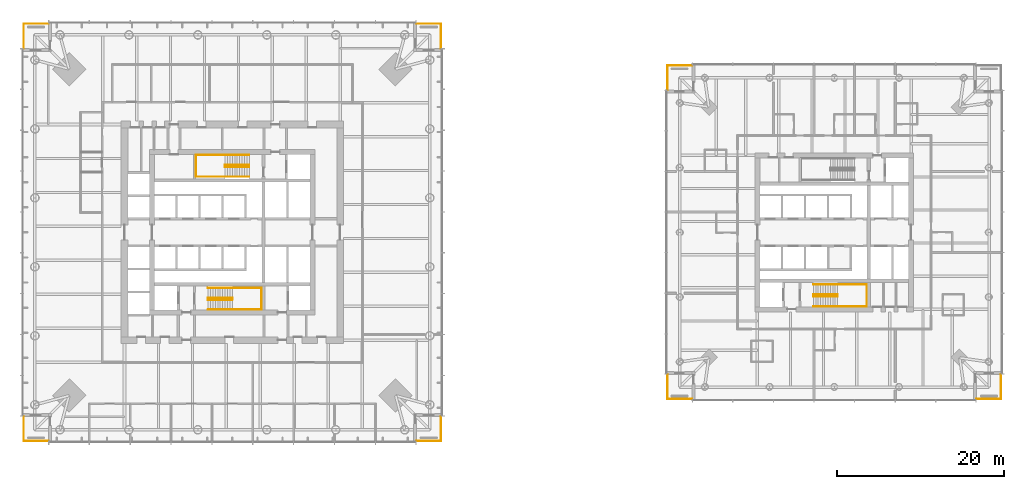
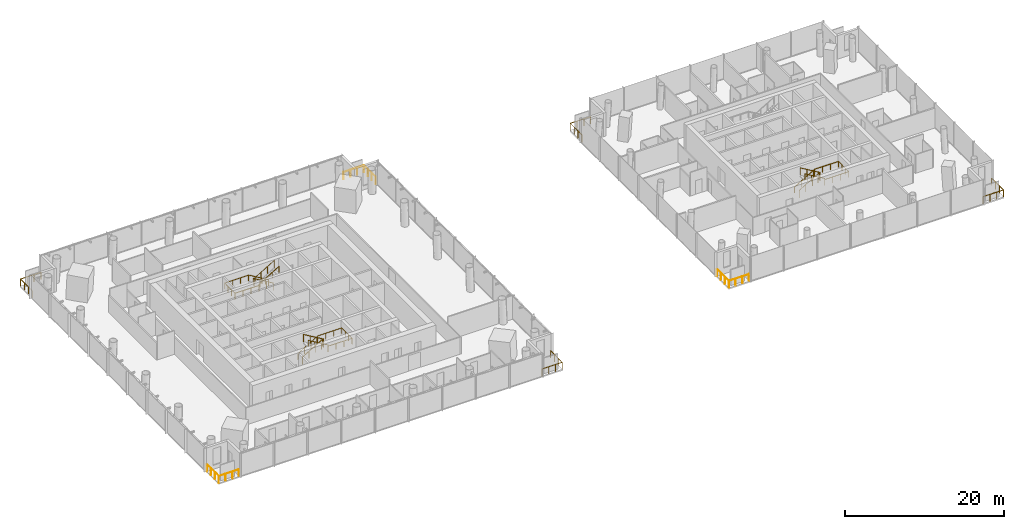
# One storey, part 20 of 21: 13 railings.
"""IFC4 building model written with IfcOpenShell, lengths in metres."""

import ifcopenshell
import ifcopenshell.guid

model = None  # the IFC model being written
_history = None  # IfcOwnerHistory: only IFC2X3 demands one
_inside = {}  # id of a spatial element -> (the spatial element, [elements in it])
_under = {}  # id of a project, library or spatial element -> (it, [spatial elements below it])
_declared = {}  # id of a project -> (the project, [libraries it declares])
_typed = {}  # id of a type object -> (the type object, [elements of that type])
_made_of = {}  # id of a material, layer set ... -> (it, [elements and type objects made of it])


def new_model(schema):
    """Start an empty IFC model of exactly this schema.

    Asked for "IFC4X3", IfcOpenShell would pick the latest addendum, in which some entities
    have other attributes; the version numbers below select the first issue.
    IFC2X3 requires an IfcOwnerHistory on every rooted entity: one is made here for all.
    """
    global model, _history
    if schema == "IFC4X3":
        model = ifcopenshell.file(schema_version=(4, 3, 0, 0))
    else:
        model = ifcopenshell.file(schema=schema)
    _inside.clear()
    _under.clear()
    _declared.clear()
    _typed.clear()
    _made_of.clear()
    _history = None
    if model.schema == "IFC2X3":
        org = make("IfcOrganization", Name="unknown")
        user = make(
            "IfcPersonAndOrganization",
            ThePerson=make("IfcPerson", FamilyName="unknown"),
            TheOrganization=org,
        )
        app = make(
            "IfcApplication",
            ApplicationDeveloper=org,
            Version="unknown",
            ApplicationFullName="unknown",
            ApplicationIdentifier="unknown",
        )
        _history = make(
            "IfcOwnerHistory",
            OwningUser=user,
            OwningApplication=app,
            ChangeAction="ADDED",
            CreationDate=0,
        )
    return model


def make(cls, **values):
    """One entity of the class cls with the attributes given. An attribute that is None is left unset."""
    return model.create_entity(
        cls, **{name: value for name, value in values.items() if value is not None}
    )


def rooted(cls, **values):
    """An entity with a GlobalId (a new one), such as an element, a storey or a relation."""
    return make(cls, GlobalId=ifcopenshell.guid.new(), OwnerHistory=_history, **values)


def si_unit(unit_type, name, prefix=None):
    """IfcSIUnit, for example si_unit("LENGTHUNIT", "METRE", prefix="MILLI")."""
    return make("IfcSIUnit", UnitType=unit_type, Prefix=prefix, Name=name)


def assignment(units):
    """IfcUnitAssignment: the units of a project."""
    return None if units is None else make("IfcUnitAssignment", Units=units)


def point(xyz):
    """IfcCartesianPoint."""
    return None if xyz is None else make("IfcCartesianPoint", Coordinates=xyz)


def direction(xyz):
    """IfcDirection."""
    return None if xyz is None else make("IfcDirection", DirectionRatios=xyz)


def frame(location, z_axis=None, x_axis=None):
    """IfcAxis2Placement3D, a coordinate frame: its origin and axes. An axis left out is left unset."""
    return make(
        "IfcAxis2Placement3D",
        Location=point(location),
        Axis=direction(z_axis),
        RefDirection=direction(x_axis),
    )


def frame_2d(location, x_axis=None):
    """IfcAxis2Placement2D, a coordinate frame in the plane: its origin and x axis."""
    return make(
        "IfcAxis2Placement2D", Location=point(location), RefDirection=direction(x_axis)
    )


def origin():
    """The frame at (0, 0, 0) with its axes left unset."""
    return frame((0.0, 0.0, 0.0))


def origin_2d():
    """The frame at (0, 0) in the plane with its x axis left unset."""
    return frame_2d((0.0, 0.0))


def place(relative_to, where):
    """IfcLocalPlacement: puts the frame where relative to a parent placement (None: the world)."""
    return make(
        "IfcLocalPlacement", PlacementRelTo=relative_to, RelativePlacement=where
    )


def context(
    kind, dimensions, precision=None, world=None, true_north=None, identifier=None
):
    """IfcGeometricRepresentationContext, for example the 3D "Model" context."""
    return make(
        "IfcGeometricRepresentationContext",
        ContextIdentifier=identifier,
        ContextType=kind,
        CoordinateSpaceDimension=dimensions,
        Precision=precision,
        WorldCoordinateSystem=world,
        TrueNorth=true_north,
    )


def subcontext(parent, identifier, kind, view, scale=None):
    """IfcGeometricRepresentationSubContext, for example "Body" below "Model"."""
    return make(
        "IfcGeometricRepresentationSubContext",
        ContextIdentifier=identifier,
        ContextType=kind,
        ParentContext=parent,
        TargetScale=scale,
        TargetView=view,
    )


def project(units=None, contexts=None):
    """IfcProject with its units and contexts."""
    return rooted(
        "IfcProject",
        Name="project",
        RepresentationContexts=contexts,
        UnitsInContext=assignment(units),
    )


def spatial(cls, under=None, at=None, **own):
    """A site, building, storey or space (cls), placed at a placement, below another one or the project."""
    s = rooted(cls, ObjectPlacement=at, **own)
    if under is not None:
        _under.setdefault(under.id(), (under, []))[1].append(s)
    return s


def profile(cls, at=None, kind="AREA", **sizes):
    """A parametric profile (cls). Its sizes go by their IFC names, for example OverallWidth=200.0."""
    return make(cls, ProfileType=kind, Position=at, **sizes)


def circle(**sizes):
    """IfcCircleProfileDef."""
    return profile("IfcCircleProfileDef", **sizes)


def extrude(swept, where, along, depth):
    """IfcExtrudedAreaSolid: the profile swept, set in the frame where, extruded along a direction by depth."""
    return make(
        "IfcExtrudedAreaSolid",
        SweptArea=swept,
        Position=where,
        ExtrudedDirection=direction(along),
        Depth=depth,
    )


def shape(context_of_items, identifier, shape_type, items):
    """IfcShapeRepresentation: the items that make up one representation, for example the "Body"."""
    return make(
        "IfcShapeRepresentation",
        ContextOfItems=context_of_items,
        RepresentationIdentifier=identifier,
        RepresentationType=shape_type,
        Items=items,
    )


def material(Name=None, Category=None):
    """IfcMaterial."""
    return make("IfcMaterial", Name=Name, Category=Category)


def made_of(thing, what):
    """Note that an element or type object is made of a material, layer set ...; save() writes the relation."""
    if what is not None:
        _made_of.setdefault(what.id(), (what, []))[1].append(thing)
    return thing


def type_object(cls, material=None, **own):
    """A type object (cls), such as IfcWallType, which elements share."""
    return made_of(rooted(cls, **own), material)


def element(
    cls,
    number,
    at=None,
    inside=None,
    cuts=None,
    type_object=None,
    material=None,
    context=None,
    identifier="Body",
    shape_type=None,
    held_by="IfcProductDefinitionShape",
    body=None,
    shapes=None,
    **own,
):
    """One element of the class cls, such as IfcWall. Its Tag is "e" and its number.

    at: its placement. inside: the storey or other place that contains it. cuts: it is an
    opening in that element (IfcRelVoidsElement). A single representation is given by context,
    identifier, shape_type and body (its items); several are given by shapes. held_by: the class
    of the entity that holds the representations. save() writes the other relations.
    """
    e = rooted(cls, Tag="e%d" % number, ObjectPlacement=at, **own)
    if body is not None:
        shapes = [shape(context, identifier, shape_type, body)]
    if shapes is not None:
        e.Representation = make(held_by, Representations=shapes)
    if inside is not None:
        _inside.setdefault(inside.id(), (inside, []))[1].append(e)
    if cuts is not None:
        rooted(
            "IfcRelVoidsElement", RelatingBuildingElement=cuts, RelatedOpeningElement=e
        )
    if type_object is not None:
        _typed.setdefault(type_object.id(), (type_object, []))[1].append(e)
    return made_of(e, material)


def aggregate(whole, parts):
    """IfcRelAggregates: a whole, such as a stair, and the parts it consists of."""
    return rooted("IfcRelAggregates", RelatingObject=whole, RelatedObjects=parts)


def save(model, path):
    """Write the relations noted so far, then the file.

    IfcRelAggregates (storeys below a building ...), IfcRelContainedInSpatialStructure (elements
    in a storey), IfcRelDefinesByType, IfcRelAssociatesMaterial and IfcRelDeclares: one each for
    every whole, place, type object, material and project.
    """
    for whole, parts in _under.values():
        aggregate(whole, parts)
    for where, things in _inside.values():
        rooted(
            "IfcRelContainedInSpatialStructure",
            RelatedElements=things,
            RelatingStructure=where,
        )
    for kind, things in _typed.values():
        rooted("IfcRelDefinesByType", RelatedObjects=things, RelatingType=kind)
    for what, things in _made_of.values():
        rooted("IfcRelAssociatesMaterial", RelatedObjects=things, RelatingMaterial=what)
    for by, libraries in _declared.values():
        rooted("IfcRelDeclares", RelatingContext=by, RelatedDefinitions=libraries)
    model.write(path)


model = new_model("IFC4")

# Units and contexts
model_context = context("Model", 3, precision=1e-05, world=origin(), true_north=direction((0.0, 1.0)))
body_context = subcontext(model_context, "Body", "Model", "MODEL_VIEW")
ifc_project = project(units=[si_unit("LENGTHUNIT", "METRE"), si_unit("AREAUNIT", "SQUARE_METRE"), si_unit("VOLUMEUNIT", "CUBIC_METRE"), si_unit("PLANEANGLEUNIT", "RADIAN"), si_unit("MASSUNIT", "GRAM", prefix="KILO")], contexts=[model_context])

# Site, building, storey
site_placement = place(None, origin())
site = spatial("IfcSite", under=ifc_project, at=site_placement, CompositionType="ELEMENT")
building_placement = place(site_placement, origin())
building = spatial("IfcBuilding", under=site, at=building_placement, Name="Ostroluk Exchange", CompositionType="ELEMENT")
storey_placement = place(building_placement, frame((0.0, 0.0, 32.39990234375)))
storey = spatial("IfcBuildingStorey", under=building, at=storey_placement, Name="L07", CompositionType="ELEMENT", Elevation=32.39990234375)

# Railings
ifc_material_1 = material(Name="Stainless steel", Category="steel")
railing_type_1 = type_object("IfcRailingType", Name="Guard 1100 stainless steel", PredefinedType="GUARDRAIL", material=ifc_material_1)
railing_1_placement = place(storey_placement, frame((67.0, 21.050048828125, 0.0)))
element("IfcRailing", 1, at=railing_1_placement, inside=storey, type_object=railing_type_1, Name="Office tower SE balcony guard L07", PredefinedType="GUARDRAIL", context=body_context, shape_type="SweptSolid", body=[
    extrude(circle(Radius=0.02392578125, at=origin_2d()), frame((0.0, 0.0, 1.076171875), z_axis=(1.0, 0.0, 0.0), x_axis=(0.0, 1.0, 0.0)), (0.0, 0.0, 1.0), 2.949951171875),
    extrude(circle(Radius=0.02392578125, at=origin_2d()), frame((2.949951171875, 0.0, 1.076171875), z_axis=(0.0, 1.0, 0.0), x_axis=(-1.0, 0.0, 0.0)), (0.0, 0.0, 1.0), 2.949951171875),
    extrude(circle(Radius=0.02099609375, at=origin_2d()), origin(), (0.0, 0.0, 1.0), 1.052001953125),
    extrude(circle(Radius=0.02099609375, at=origin_2d()), frame((0.9833984375, 0.0, 0.0)), (0.0, 0.0, 1.0), 1.052001953125),
    extrude(circle(Radius=0.02099609375, at=origin_2d()), frame((1.966552734375, 0.0, 0.0)), (0.0, 0.0, 1.0), 1.052001953125),
    extrude(circle(Radius=0.02099609375, at=origin_2d()), frame((2.949951171875, 0.0, 0.0)), (0.0, 0.0, 1.0), 1.052001953125),
    extrude(circle(Radius=0.02099609375, at=origin_2d()), frame((2.949951171875, 0.9833984375, 0.0)), (0.0, 0.0, 1.0), 1.052001953125),
    extrude(circle(Radius=0.02099609375, at=origin_2d()), frame((2.949951171875, 1.966552734375, 0.0)), (0.0, 0.0, 1.0), 1.052001953125),
    extrude(circle(Radius=0.02099609375, at=origin_2d()), frame((2.949951171875, 2.949951171875, 0.0)), (0.0, 0.0, 1.0), 1.052001953125),
])
railing_2_placement = place(storey_placement, frame((67.0, 70.949951171875, 0.0)))
element("IfcRailing", 2, at=railing_2_placement, inside=storey, type_object=railing_type_1, Name="Office tower NE balcony guard L07", PredefinedType="GUARDRAIL", context=body_context, shape_type="SweptSolid", body=[
    extrude(circle(Radius=0.02392578125, at=origin_2d()), frame((0.0, 0.0, 1.076171875), z_axis=(1.0, 0.0, 0.0), x_axis=(0.0, 1.0, 0.0)), (0.0, 0.0, 1.0), 2.949951171875),
    extrude(circle(Radius=0.02392578125, at=origin_2d()), frame((2.949951171875, 0.0, 1.076171875), z_axis=(0.0, -1.0, 0.0), x_axis=(1.0, 0.0, 0.0)), (0.0, 0.0, 1.0), 2.949951171875),
    extrude(circle(Radius=0.02099609375, at=origin_2d()), origin(), (0.0, 0.0, 1.0), 1.052001953125),
    extrude(circle(Radius=0.02099609375, at=origin_2d()), frame((0.9833984375, 0.0, 0.0)), (0.0, 0.0, 1.0), 1.052001953125),
    extrude(circle(Radius=0.02099609375, at=origin_2d()), frame((1.966552734375, 0.0, 0.0)), (0.0, 0.0, 1.0), 1.052001953125),
    extrude(circle(Radius=0.02099609375, at=origin_2d()), frame((2.949951171875, 0.0, 0.0)), (0.0, 0.0, 1.0), 1.052001953125),
    extrude(circle(Radius=0.02099609375, at=origin_2d()), frame((2.949951171875, -0.9833984375, 0.0)), (0.0, 0.0, 1.0), 1.052001953125),
    extrude(circle(Radius=0.02099609375, at=origin_2d()), frame((2.949951171875, -1.966552734375, 0.0)), (0.0, 0.0, 1.0), 1.052001953125),
    extrude(circle(Radius=0.02099609375, at=origin_2d()), frame((2.949951171875, -2.949951171875, 0.0)), (0.0, 0.0, 1.0), 1.052001953125),
])
railing_3_placement = place(storey_placement, frame((23.0, 70.949951171875, 0.0)))
element("IfcRailing", 3, at=railing_3_placement, inside=storey, type_object=railing_type_1, Name="Office tower NW balcony guard L07", PredefinedType="GUARDRAIL", context=body_context, shape_type="SweptSolid", body=[
    extrude(circle(Radius=0.02392578125, at=origin_2d()), frame((0.0, 0.0, 1.076171875), z_axis=(-1.0, 0.0, 0.0), x_axis=(0.0, -1.0, 0.0)), (0.0, 0.0, 1.0), 2.949951171875),
    extrude(circle(Radius=0.02392578125, at=origin_2d()), frame((-2.949951171875, 0.0, 1.076171875), z_axis=(0.0, -1.0, 0.0), x_axis=(1.0, 0.0, 0.0)), (0.0, 0.0, 1.0), 2.949951171875),
    extrude(circle(Radius=0.02099609375, at=origin_2d()), origin(), (0.0, 0.0, 1.0), 1.052001953125),
    extrude(circle(Radius=0.02099609375, at=origin_2d()), frame((-0.9833984375, 0.0, 0.0)), (0.0, 0.0, 1.0), 1.052001953125),
    extrude(circle(Radius=0.02099609375, at=origin_2d()), frame((-1.966552734375, 0.0, 0.0)), (0.0, 0.0, 1.0), 1.052001953125),
    extrude(circle(Radius=0.02099609375, at=origin_2d()), frame((-2.949951171875, 0.0, 0.0)), (0.0, 0.0, 1.0), 1.052001953125),
    extrude(circle(Radius=0.02099609375, at=origin_2d()), frame((-2.949951171875, -0.9833984375, 0.0)), (0.0, 0.0, 1.0), 1.052001953125),
    extrude(circle(Radius=0.02099609375, at=origin_2d()), frame((-2.949951171875, -1.966552734375, 0.0)), (0.0, 0.0, 1.0), 1.052001953125),
    extrude(circle(Radius=0.02099609375, at=origin_2d()), frame((-2.949951171875, -2.949951171875, 0.0)), (0.0, 0.0, 1.0), 1.052001953125),
])
railing_4_placement = place(storey_placement, frame((23.0, 21.050048828125, 0.0)))
element("IfcRailing", 4, at=railing_4_placement, inside=storey, type_object=railing_type_1, Name="Office tower SW balcony guard L07", PredefinedType="GUARDRAIL", context=body_context, shape_type="SweptSolid", body=[
    extrude(circle(Radius=0.02392578125, at=origin_2d()), frame((0.0, 0.0, 1.076171875), z_axis=(-1.0, 0.0, 0.0), x_axis=(0.0, -1.0, 0.0)), (0.0, 0.0, 1.0), 2.949951171875),
    extrude(circle(Radius=0.02392578125, at=origin_2d()), frame((-2.949951171875, 0.0, 1.076171875), z_axis=(0.0, 1.0, 0.0), x_axis=(-1.0, 0.0, 0.0)), (0.0, 0.0, 1.0), 2.949951171875),
    extrude(circle(Radius=0.02099609375, at=origin_2d()), origin(), (0.0, 0.0, 1.0), 1.052001953125),
    extrude(circle(Radius=0.02099609375, at=origin_2d()), frame((-0.9833984375, 0.0, 0.0)), (0.0, 0.0, 1.0), 1.052001953125),
    extrude(circle(Radius=0.02099609375, at=origin_2d()), frame((-1.966552734375, 0.0, 0.0)), (0.0, 0.0, 1.0), 1.052001953125),
    extrude(circle(Radius=0.02099609375, at=origin_2d()), frame((-2.949951171875, 0.0, 0.0)), (0.0, 0.0, 1.0), 1.052001953125),
    extrude(circle(Radius=0.02099609375, at=origin_2d()), frame((-2.949951171875, 0.9833984375, 0.0)), (0.0, 0.0, 1.0), 1.052001953125),
    extrude(circle(Radius=0.02099609375, at=origin_2d()), frame((-2.949951171875, 1.966552734375, 0.0)), (0.0, 0.0, 1.0), 1.052001953125),
    extrude(circle(Radius=0.02099609375, at=origin_2d()), frame((-2.949951171875, 2.949951171875, 0.0)), (0.0, 0.0, 1.0), 1.052001953125),
])
railing_5_placement = place(storey_placement, frame((134.0, 26.050048828125, 0.0)))
element("IfcRailing", 5, at=railing_5_placement, inside=storey, type_object=railing_type_1, Name="Hotel tower SE balcony guard L07", PredefinedType="GUARDRAIL", context=body_context, shape_type="SweptSolid", body=[
    extrude(circle(Radius=0.02392578125, at=origin_2d()), frame((0.0, 0.0, 1.076171875), z_axis=(1.0, 0.0, 0.0), x_axis=(0.0, 1.0, 0.0)), (0.0, 0.0, 1.0), 2.949951171875),
    extrude(circle(Radius=0.02392578125, at=origin_2d()), frame((2.949951171875, 0.0, 1.076171875), z_axis=(0.0, 1.0, 0.0), x_axis=(-1.0, 0.0, 0.0)), (0.0, 0.0, 1.0), 2.949951171875),
    extrude(circle(Radius=0.02099609375, at=origin_2d()), origin(), (0.0, 0.0, 1.0), 1.052001953125),
    extrude(circle(Radius=0.02099609375, at=origin_2d()), frame((0.9833984375, 0.0, 0.0)), (0.0, 0.0, 1.0), 1.052001953125),
    extrude(circle(Radius=0.02099609375, at=origin_2d()), frame((1.966552734375, 0.0, 0.0)), (0.0, 0.0, 1.0), 1.052001953125),
    extrude(circle(Radius=0.02099609375, at=origin_2d()), frame((2.949951171875, 0.0, 0.0)), (0.0, 0.0, 1.0), 1.052001953125),
    extrude(circle(Radius=0.02099609375, at=origin_2d()), frame((2.949951171875, 0.9833984375, 0.0)), (0.0, 0.0, 1.0), 1.052001953125),
    extrude(circle(Radius=0.02099609375, at=origin_2d()), frame((2.949951171875, 1.966552734375, 0.0)), (0.0, 0.0, 1.0), 1.052001953125),
    extrude(circle(Radius=0.02099609375, at=origin_2d()), frame((2.949951171875, 2.949951171875, 0.0)), (0.0, 0.0, 1.0), 1.052001953125),
])
railing_6_placement = place(storey_placement, frame((100.0, 65.949951171875, 0.0)))
element("IfcRailing", 6, at=railing_6_placement, inside=storey, type_object=railing_type_1, Name="Hotel tower NW balcony guard L07", PredefinedType="GUARDRAIL", context=body_context, shape_type="SweptSolid", body=[
    extrude(circle(Radius=0.02392578125, at=origin_2d()), frame((0.0, 0.0, 1.076171875), z_axis=(-1.0, 0.0, 0.0), x_axis=(0.0, -1.0, 0.0)), (0.0, 0.0, 1.0), 2.949951171875),
    extrude(circle(Radius=0.02392578125, at=origin_2d()), frame((-2.949951171875, 0.0, 1.076171875), z_axis=(0.0, -1.0, 0.0), x_axis=(1.0, 0.0, 0.0)), (0.0, 0.0, 1.0), 2.949951171875),
    extrude(circle(Radius=0.02099609375, at=origin_2d()), origin(), (0.0, 0.0, 1.0), 1.052001953125),
    extrude(circle(Radius=0.02099609375, at=origin_2d()), frame((-0.9833984375, 0.0, 0.0)), (0.0, 0.0, 1.0), 1.052001953125),
    extrude(circle(Radius=0.02099609375, at=origin_2d()), frame((-1.966552734375, 0.0, 0.0)), (0.0, 0.0, 1.0), 1.052001953125),
    extrude(circle(Radius=0.02099609375, at=origin_2d()), frame((-2.949951171875, 0.0, 0.0)), (0.0, 0.0, 1.0), 1.052001953125),
    extrude(circle(Radius=0.02099609375, at=origin_2d()), frame((-2.949951171875, -0.9833984375, 0.0)), (0.0, 0.0, 1.0), 1.052001953125),
    extrude(circle(Radius=0.02099609375, at=origin_2d()), frame((-2.949951171875, -1.966552734375, 0.0)), (0.0, 0.0, 1.0), 1.052001953125),
    extrude(circle(Radius=0.02099609375, at=origin_2d()), frame((-2.949951171875, -2.949951171875, 0.0)), (0.0, 0.0, 1.0), 1.052001953125),
])
railing_7_placement = place(storey_placement, frame((100.0, 26.050048828125, 0.0)))
element("IfcRailing", 7, at=railing_7_placement, inside=storey, type_object=railing_type_1, Name="Hotel tower SW balcony guard L07", PredefinedType="GUARDRAIL", context=body_context, shape_type="SweptSolid", body=[
    extrude(circle(Radius=0.02392578125, at=origin_2d()), frame((0.0, 0.0, 1.076171875), z_axis=(-1.0, 0.0, 0.0), x_axis=(0.0, -1.0, 0.0)), (0.0, 0.0, 1.0), 2.949951171875),
    extrude(circle(Radius=0.02392578125, at=origin_2d()), frame((-2.949951171875, 0.0, 1.076171875), z_axis=(0.0, 1.0, 0.0), x_axis=(-1.0, 0.0, 0.0)), (0.0, 0.0, 1.0), 2.949951171875),
    extrude(circle(Radius=0.02099609375, at=origin_2d()), origin(), (0.0, 0.0, 1.0), 1.052001953125),
    extrude(circle(Radius=0.02099609375, at=origin_2d()), frame((-0.9833984375, 0.0, 0.0)), (0.0, 0.0, 1.0), 1.052001953125),
    extrude(circle(Radius=0.02099609375, at=origin_2d()), frame((-1.966552734375, 0.0, 0.0)), (0.0, 0.0, 1.0), 1.052001953125),
    extrude(circle(Radius=0.02099609375, at=origin_2d()), frame((-2.949951171875, 0.0, 0.0)), (0.0, 0.0, 1.0), 1.052001953125),
    extrude(circle(Radius=0.02099609375, at=origin_2d()), frame((-2.949951171875, 0.9833984375, 0.0)), (0.0, 0.0, 1.0), 1.052001953125),
    extrude(circle(Radius=0.02099609375, at=origin_2d()), frame((-2.949951171875, 1.966552734375, 0.0)), (0.0, 0.0, 1.0), 1.052001953125),
    extrude(circle(Radius=0.02099609375, at=origin_2d()), frame((-2.949951171875, 2.949951171875, 0.0)), (0.0, 0.0, 1.0), 1.052001953125),
])
ifc_material_2 = material(Name="Steel S355", Category="steel")
railing_type_2 = type_object("IfcRailingType", Name="Stair guard 1100", PredefinedType="GUARDRAIL", material=ifc_material_2)
railing_8_placement = place(storey_placement, frame((42.10009765625, 38.179931640625, 0.1728515625)))
element("IfcRailing", 8, at=railing_8_placement, inside=storey, type_object=railing_type_2, Name="Stair T1-S1 guard L07", PredefinedType="GUARDRAIL", context=body_context, shape_type="SweptSolid", body=[
    extrude(circle(Radius=0.02392578125, at=origin_2d()), frame((0.0, 0.0, 1.076171875), z_axis=(0.859141464434, 0.0, 0.511738159696), x_axis=(0.0, 1.0, 0.0)), (0.0, 0.0, 1.0), 3.375244140625),
    extrude(circle(Radius=0.02392578125, at=origin_2d()), frame((2.89990234375, 0.0, 2.80322265625), z_axis=(0.0, -1.0, 0.0), x_axis=(1.0, 0.0, 0.0)), (0.0, 0.0, 1.0), 0.260009765625),
    extrude(circle(Radius=0.02392578125, at=origin_2d()), frame((2.89990234375, -0.260009765625, 2.80322265625), z_axis=(0.0, 0.0, 1.0), x_axis=(1.0, 0.0, 0.0)), (0.0, 0.0, 1.0), 0.172607421875),
    extrude(circle(Radius=0.02392578125, at=origin_2d()), frame((2.89990234375, -0.260009765625, 2.97607421875), z_axis=(-0.859141464434, 0.0, 0.511738159696), x_axis=(0.0, -1.0, 0.0)), (0.0, 0.0, 1.0), 3.375244140625),
    extrude(circle(Radius=0.02099609375, at=origin_2d()), origin(), (0.0, 0.0, 1.0), 1.052001953125),
    extrude(circle(Radius=0.02099609375, at=origin_2d()), frame((0.966552734375, 0.0, 0.57568359375)), (0.0, 0.0, 1.0), 1.052001953125),
    extrude(circle(Radius=0.02099609375, at=origin_2d()), frame((1.933349609375, 0.0, 1.151611328125)), (0.0, 0.0, 1.0), 1.052001953125),
    extrude(circle(Radius=0.02099609375, at=origin_2d()), frame((2.89990234375, 0.0, 1.727294921875)), (0.0, 0.0, 1.0), 1.052001953125),
    extrude(circle(Radius=0.02099609375, at=origin_2d()), frame((2.89990234375, -0.260009765625, 1.727294921875)), (0.0, 0.0, 1.0), 1.052001953125),
    extrude(circle(Radius=0.02099609375, at=origin_2d()), frame((2.89990234375, -0.260009765625, 1.89990234375)), (0.0, 0.0, 1.0), 1.052001953125),
    extrude(circle(Radius=0.02099609375, at=origin_2d()), frame((1.933349609375, -0.260009765625, 2.4755859375)), (0.0, 0.0, 1.0), 1.052001953125),
    extrude(circle(Radius=0.02099609375, at=origin_2d()), frame((0.966552734375, -0.260009765625, 3.051513671875)), (0.0, 0.0, 1.0), 1.052001953125),
    extrude(circle(Radius=0.02099609375, at=origin_2d()), frame((0.0, -0.260009765625, 3.627197265625)), (0.0, 0.0, 1.0), 1.052001953125),
])
railing_9_placement = place(storey_placement, frame((47.030029296875, 54.080078125, 0.1728515625)))
element("IfcRailing", 9, at=railing_9_placement, inside=storey, type_object=railing_type_2, Name="Stair T1-S2 guard L07", PredefinedType="GUARDRAIL", context=body_context, shape_type="SweptSolid", body=[
    extrude(circle(Radius=0.02392578125, at=origin_2d()), frame((0.0, 0.0, 1.076171875), z_axis=(-0.859160404282, 0.0, 0.51170636083), x_axis=(0.0, -1.0, 0.0)), (0.0, 0.0, 1.0), 3.37548828125),
    extrude(circle(Radius=0.02392578125, at=origin_2d()), frame((-2.900146484375, 0.0, 2.80322265625), z_axis=(0.0, -1.0, 0.0), x_axis=(1.0, 0.0, 0.0)), (0.0, 0.0, 1.0), 0.260009765625),
    extrude(circle(Radius=0.02392578125, at=origin_2d()), frame((-2.900146484375, -0.260009765625, 2.80322265625), z_axis=(0.0, 0.0, 1.0), x_axis=(1.0, 0.0, 0.0)), (0.0, 0.0, 1.0), 0.172607421875),
    extrude(circle(Radius=0.02392578125, at=origin_2d()), frame((-2.900146484375, -0.260009765625, 2.97607421875), z_axis=(0.859160404282, 0.0, 0.51170636083), x_axis=(0.0, 1.0, 0.0)), (0.0, 0.0, 1.0), 3.37548828125),
    extrude(circle(Radius=0.02099609375, at=origin_2d()), origin(), (0.0, 0.0, 1.0), 1.052001953125),
    extrude(circle(Radius=0.02099609375, at=origin_2d()), frame((-0.966796875, 0.0, 0.57568359375)), (0.0, 0.0, 1.0), 1.052001953125),
    extrude(circle(Radius=0.02099609375, at=origin_2d()), frame((-1.933349609375, 0.0, 1.151611328125)), (0.0, 0.0, 1.0), 1.052001953125),
    extrude(circle(Radius=0.02099609375, at=origin_2d()), frame((-2.900146484375, 0.0, 1.727294921875)), (0.0, 0.0, 1.0), 1.052001953125),
    extrude(circle(Radius=0.02099609375, at=origin_2d()), frame((-2.900146484375, -0.260009765625, 1.727294921875)), (0.0, 0.0, 1.0), 1.052001953125),
    extrude(circle(Radius=0.02099609375, at=origin_2d()), frame((-2.900146484375, -0.260009765625, 1.89990234375)), (0.0, 0.0, 1.0), 1.052001953125),
    extrude(circle(Radius=0.02099609375, at=origin_2d()), frame((-1.933349609375, -0.260009765625, 2.4755859375)), (0.0, 0.0, 1.0), 1.052001953125),
    extrude(circle(Radius=0.02099609375, at=origin_2d()), frame((-0.966796875, -0.260009765625, 3.051513671875)), (0.0, 0.0, 1.0), 1.052001953125),
    extrude(circle(Radius=0.02099609375, at=origin_2d()), frame((0.0, -0.260009765625, 3.627197265625)), (0.0, 0.0, 1.0), 1.052001953125),
])
railing_10_placement = place(storey_placement, frame((114.5, 38.580078125, 0.1728515625)))
element("IfcRailing", 10, at=railing_10_placement, inside=storey, type_object=railing_type_2, Name="Stair T2-S1 guard L07", PredefinedType="GUARDRAIL", context=body_context, shape_type="SweptSolid", body=[
    extrude(circle(Radius=0.02392578125, at=origin_2d()), frame((0.0, 0.0, 1.076171875), z_axis=(0.859141464434, 0.0, 0.511738159696), x_axis=(0.0, 1.0, 0.0)), (0.0, 0.0, 1.0), 3.375244140625),
    extrude(circle(Radius=0.02392578125, at=origin_2d()), frame((2.89990234375, 0.0, 2.80322265625), z_axis=(0.0, -1.0, 0.0), x_axis=(1.0, 0.0, 0.0)), (0.0, 0.0, 1.0), 0.260009765625),
    extrude(circle(Radius=0.02392578125, at=origin_2d()), frame((2.89990234375, -0.260009765625, 2.80322265625), z_axis=(0.0, 0.0, 1.0), x_axis=(1.0, 0.0, 0.0)), (0.0, 0.0, 1.0), 0.172607421875),
    extrude(circle(Radius=0.02392578125, at=origin_2d()), frame((2.89990234375, -0.260009765625, 2.97607421875), z_axis=(-0.859141464434, 0.0, 0.511738159696), x_axis=(0.0, -1.0, 0.0)), (0.0, 0.0, 1.0), 3.375244140625),
    extrude(circle(Radius=0.02099609375, at=origin_2d()), origin(), (0.0, 0.0, 1.0), 1.052001953125),
    extrude(circle(Radius=0.02099609375, at=origin_2d()), frame((0.966552734375, 0.0, 0.57568359375)), (0.0, 0.0, 1.0), 1.052001953125),
    extrude(circle(Radius=0.02099609375, at=origin_2d()), frame((1.933349609375, 0.0, 1.151611328125)), (0.0, 0.0, 1.0), 1.052001953125),
    extrude(circle(Radius=0.02099609375, at=origin_2d()), frame((2.89990234375, 0.0, 1.727294921875)), (0.0, 0.0, 1.0), 1.052001953125),
    extrude(circle(Radius=0.02099609375, at=origin_2d()), frame((2.89990234375, -0.260009765625, 1.727294921875)), (0.0, 0.0, 1.0), 1.052001953125),
    extrude(circle(Radius=0.02099609375, at=origin_2d()), frame((2.89990234375, -0.260009765625, 1.89990234375)), (0.0, 0.0, 1.0), 1.052001953125),
    extrude(circle(Radius=0.02099609375, at=origin_2d()), frame((1.933349609375, -0.260009765625, 2.4755859375)), (0.0, 0.0, 1.0), 1.052001953125),
    extrude(circle(Radius=0.02099609375, at=origin_2d()), frame((0.966552734375, -0.260009765625, 3.051513671875)), (0.0, 0.0, 1.0), 1.052001953125),
    extrude(circle(Radius=0.02099609375, at=origin_2d()), frame((0.0, -0.260009765625, 3.627197265625)), (0.0, 0.0, 1.0), 1.052001953125),
])
ifc_material_3 = material(Name="Stainless steel", Category="steel")
railing_type_3 = type_object("IfcRailingType", Name="Stair handrail 900", PredefinedType="HANDRAIL", material=ifc_material_3)
railing_11_placement = place(storey_placement, frame((42.10009765625, 39.35009765625, 0.1728515625)))
element("IfcRailing", 11, at=railing_11_placement, inside=storey, type_object=railing_type_3, Name="Stair T1-S1 handrail L07", PredefinedType="HANDRAIL", context=body_context, shape_type="SweptSolid", body=[
    extrude(circle(Radius=0.02392578125, at=origin_2d()), frame((0.0, 0.0, 0.8759765625), z_axis=(0.859141464434, 0.0, 0.511738159696), x_axis=(0.0, 1.0, 0.0)), (0.0, 0.0, 1.0), 3.375244140625),
    extrude(circle(Radius=0.02392578125, at=origin_2d()), frame((2.89990234375, 0.0, 2.60302734375), z_axis=(1.0, 0.0, 0.0), x_axis=(0.0, 1.0, 0.0)), (0.0, 0.0, 1.0), 3.47998046875),
    extrude(circle(Radius=0.02392578125, at=origin_2d()), frame((6.3798828125, 0.0, 2.60302734375), z_axis=(0.0, -1.0, 0.0), x_axis=(1.0, 0.0, 0.0)), (0.0, 0.0, 1.0), 2.60009765625),
    extrude(circle(Radius=0.02392578125, at=origin_2d()), frame((6.3798828125, -2.60009765625, 2.60302734375), z_axis=(-1.0, 0.0, 0.0), x_axis=(0.0, -1.0, 0.0)), (0.0, 0.0, 1.0), 3.47998046875),
    extrude(circle(Radius=0.02392578125, at=origin_2d()), frame((2.89990234375, -2.60009765625, 2.60302734375), z_axis=(0.0, 0.0, 1.0), x_axis=(1.0, 0.0, 0.0)), (0.0, 0.0, 1.0), 0.172607421875),
    extrude(circle(Radius=0.02392578125, at=origin_2d()), frame((2.89990234375, -2.60009765625, 2.77587890625), z_axis=(-0.859141464434, 0.0, 0.511738159696), x_axis=(0.0, -1.0, 0.0)), (0.0, 0.0, 1.0), 3.375244140625),
    extrude(circle(Radius=0.02099609375, at=origin_2d()), origin(), (0.0, 0.0, 1.0), 0.851806640625),
    extrude(circle(Radius=0.02099609375, at=origin_2d()), frame((0.966552734375, 0.0, 0.57568359375)), (0.0, 0.0, 1.0), 0.851806640625),
    extrude(circle(Radius=0.02099609375, at=origin_2d()), frame((1.933349609375, 0.0, 1.151611328125)), (0.0, 0.0, 1.0), 0.851806640625),
    extrude(circle(Radius=0.02099609375, at=origin_2d()), frame((2.89990234375, 0.0, 1.727294921875)), (0.0, 0.0, 1.0), 0.851806640625),
    extrude(circle(Radius=0.02099609375, at=origin_2d()), frame((4.059814453125, 0.0, 1.727294921875)), (0.0, 0.0, 1.0), 0.851806640625),
    extrude(circle(Radius=0.02099609375, at=origin_2d()), frame((5.219970703125, 0.0, 1.727294921875)), (0.0, 0.0, 1.0), 0.851806640625),
    extrude(circle(Radius=0.02099609375, at=origin_2d()), frame((6.3798828125, 0.0, 1.727294921875)), (0.0, 0.0, 1.0), 0.851806640625),
    extrude(circle(Radius=0.02099609375, at=origin_2d()), frame((6.3798828125, -0.86669921875, 1.727294921875)), (0.0, 0.0, 1.0), 0.851806640625),
    extrude(circle(Radius=0.02099609375, at=origin_2d()), frame((6.3798828125, -1.7333984375, 1.727294921875)), (0.0, 0.0, 1.0), 0.851806640625),
    extrude(circle(Radius=0.02099609375, at=origin_2d()), frame((6.3798828125, -2.60009765625, 1.727294921875)), (0.0, 0.0, 1.0), 0.851806640625),
    extrude(circle(Radius=0.02099609375, at=origin_2d()), frame((5.219970703125, -2.60009765625, 1.727294921875)), (0.0, 0.0, 1.0), 0.851806640625),
    extrude(circle(Radius=0.02099609375, at=origin_2d()), frame((4.059814453125, -2.60009765625, 1.727294921875)), (0.0, 0.0, 1.0), 0.851806640625),
    extrude(circle(Radius=0.02099609375, at=origin_2d()), frame((2.89990234375, -2.60009765625, 1.727294921875)), (0.0, 0.0, 1.0), 0.851806640625),
    extrude(circle(Radius=0.02099609375, at=origin_2d()), frame((2.89990234375, -2.60009765625, 1.89990234375)), (0.0, 0.0, 1.0), 0.851806640625),
    extrude(circle(Radius=0.02099609375, at=origin_2d()), frame((1.933349609375, -2.60009765625, 2.4755859375)), (0.0, 0.0, 1.0), 0.851806640625),
    extrude(circle(Radius=0.02099609375, at=origin_2d()), frame((0.966552734375, -2.60009765625, 3.051513671875)), (0.0, 0.0, 1.0), 0.851806640625),
    extrude(circle(Radius=0.02099609375, at=origin_2d()), frame((0.0, -2.60009765625, 3.627197265625)), (0.0, 0.0, 1.0), 0.851806640625),
])
railing_12_placement = place(storey_placement, frame((47.030029296875, 55.25, 0.1728515625)))
element("IfcRailing", 12, at=railing_12_placement, inside=storey, type_object=railing_type_3, Name="Stair T1-S2 handrail L07", PredefinedType="HANDRAIL", context=body_context, shape_type="SweptSolid", body=[
    extrude(circle(Radius=0.02392578125, at=origin_2d()), frame((0.0, 0.0, 0.8759765625), z_axis=(-0.859160404282, 0.0, 0.51170636083), x_axis=(0.0, -1.0, 0.0)), (0.0, 0.0, 1.0), 3.37548828125),
    extrude(circle(Radius=0.02392578125, at=origin_2d()), frame((-2.900146484375, 0.0, 2.60302734375), z_axis=(-1.0, 0.0, 0.0), x_axis=(0.0, -1.0, 0.0)), (0.0, 0.0, 1.0), 3.47998046875),
    extrude(circle(Radius=0.02392578125, at=origin_2d()), frame((-6.380126953125, 0.0, 2.60302734375), z_axis=(0.0, -1.0, 0.0), x_axis=(1.0, 0.0, 0.0)), (0.0, 0.0, 1.0), 2.60009765625),
    extrude(circle(Radius=0.02392578125, at=origin_2d()), frame((-6.380126953125, -2.60009765625, 2.60302734375), z_axis=(1.0, 0.0, 0.0), x_axis=(0.0, 1.0, 0.0)), (0.0, 0.0, 1.0), 3.47998046875),
    extrude(circle(Radius=0.02392578125, at=origin_2d()), frame((-2.900146484375, -2.60009765625, 2.60302734375), z_axis=(0.0, 0.0, 1.0), x_axis=(1.0, 0.0, 0.0)), (0.0, 0.0, 1.0), 0.172607421875),
    extrude(circle(Radius=0.02392578125, at=origin_2d()), frame((-2.900146484375, -2.60009765625, 2.77587890625), z_axis=(0.859160404282, 0.0, 0.51170636083), x_axis=(0.0, 1.0, 0.0)), (0.0, 0.0, 1.0), 3.37548828125),
    extrude(circle(Radius=0.02099609375, at=origin_2d()), origin(), (0.0, 0.0, 1.0), 0.851806640625),
    extrude(circle(Radius=0.02099609375, at=origin_2d()), frame((-0.966796875, 0.0, 0.57568359375)), (0.0, 0.0, 1.0), 0.851806640625),
    extrude(circle(Radius=0.02099609375, at=origin_2d()), frame((-1.933349609375, 0.0, 1.151611328125)), (0.0, 0.0, 1.0), 0.851806640625),
    extrude(circle(Radius=0.02099609375, at=origin_2d()), frame((-2.900146484375, 0.0, 1.727294921875)), (0.0, 0.0, 1.0), 0.851806640625),
    extrude(circle(Radius=0.02099609375, at=origin_2d()), frame((-4.06005859375, 0.0, 1.727294921875)), (0.0, 0.0, 1.0), 0.851806640625),
    extrude(circle(Radius=0.02099609375, at=origin_2d()), frame((-5.22021484375, 0.0, 1.727294921875)), (0.0, 0.0, 1.0), 0.851806640625),
    extrude(circle(Radius=0.02099609375, at=origin_2d()), frame((-6.380126953125, 0.0, 1.727294921875)), (0.0, 0.0, 1.0), 0.851806640625),
    extrude(circle(Radius=0.02099609375, at=origin_2d()), frame((-6.380126953125, -0.86669921875, 1.727294921875)), (0.0, 0.0, 1.0), 0.851806640625),
    extrude(circle(Radius=0.02099609375, at=origin_2d()), frame((-6.380126953125, -1.7333984375, 1.727294921875)), (0.0, 0.0, 1.0), 0.851806640625),
    extrude(circle(Radius=0.02099609375, at=origin_2d()), frame((-6.380126953125, -2.60009765625, 1.727294921875)), (0.0, 0.0, 1.0), 0.851806640625),
    extrude(circle(Radius=0.02099609375, at=origin_2d()), frame((-5.22021484375, -2.60009765625, 1.727294921875)), (0.0, 0.0, 1.0), 0.851806640625),
    extrude(circle(Radius=0.02099609375, at=origin_2d()), frame((-4.06005859375, -2.60009765625, 1.727294921875)), (0.0, 0.0, 1.0), 0.851806640625),
    extrude(circle(Radius=0.02099609375, at=origin_2d()), frame((-2.900146484375, -2.60009765625, 1.727294921875)), (0.0, 0.0, 1.0), 0.851806640625),
    extrude(circle(Radius=0.02099609375, at=origin_2d()), frame((-2.900146484375, -2.60009765625, 1.89990234375)), (0.0, 0.0, 1.0), 0.851806640625),
    extrude(circle(Radius=0.02099609375, at=origin_2d()), frame((-1.933349609375, -2.60009765625, 2.4755859375)), (0.0, 0.0, 1.0), 0.851806640625),
    extrude(circle(Radius=0.02099609375, at=origin_2d()), frame((-0.966796875, -2.60009765625, 3.051513671875)), (0.0, 0.0, 1.0), 0.851806640625),
    extrude(circle(Radius=0.02099609375, at=origin_2d()), frame((0.0, -2.60009765625, 3.627197265625)), (0.0, 0.0, 1.0), 0.851806640625),
])
railing_13_placement = place(storey_placement, frame((114.5, 39.75, 0.1728515625)))
element("IfcRailing", 13, at=railing_13_placement, inside=storey, type_object=railing_type_3, Name="Stair T2-S1 handrail L07", PredefinedType="HANDRAIL", context=body_context, shape_type="SweptSolid", body=[
    extrude(circle(Radius=0.02392578125, at=origin_2d()), frame((0.0, 0.0, 0.8759765625), z_axis=(0.859141464434, 0.0, 0.511738159696), x_axis=(0.0, 1.0, 0.0)), (0.0, 0.0, 1.0), 3.375244140625),
    extrude(circle(Radius=0.02392578125, at=origin_2d()), frame((2.89990234375, 0.0, 2.60302734375), z_axis=(1.0, 0.0, 0.0), x_axis=(0.0, 1.0, 0.0)), (0.0, 0.0, 1.0), 3.47998046875),
    extrude(circle(Radius=0.02392578125, at=origin_2d()), frame((6.3798828125, 0.0, 2.60302734375), z_axis=(0.0, -1.0, 0.0), x_axis=(1.0, 0.0, 0.0)), (0.0, 0.0, 1.0), 2.60009765625),
    extrude(circle(Radius=0.02392578125, at=origin_2d()), frame((6.3798828125, -2.60009765625, 2.60302734375), z_axis=(-1.0, 0.0, 0.0), x_axis=(0.0, -1.0, 0.0)), (0.0, 0.0, 1.0), 3.47998046875),
    extrude(circle(Radius=0.02392578125, at=origin_2d()), frame((2.89990234375, -2.60009765625, 2.60302734375), z_axis=(0.0, 0.0, 1.0), x_axis=(1.0, 0.0, 0.0)), (0.0, 0.0, 1.0), 0.172607421875),
    extrude(circle(Radius=0.02392578125, at=origin_2d()), frame((2.89990234375, -2.60009765625, 2.77587890625), z_axis=(-0.859141464434, 0.0, 0.511738159696), x_axis=(0.0, -1.0, 0.0)), (0.0, 0.0, 1.0), 3.375244140625),
    extrude(circle(Radius=0.02099609375, at=origin_2d()), origin(), (0.0, 0.0, 1.0), 0.851806640625),
    extrude(circle(Radius=0.02099609375, at=origin_2d()), frame((0.966552734375, 0.0, 0.57568359375)), (0.0, 0.0, 1.0), 0.851806640625),
    extrude(circle(Radius=0.02099609375, at=origin_2d()), frame((1.933349609375, 0.0, 1.151611328125)), (0.0, 0.0, 1.0), 0.851806640625),
    extrude(circle(Radius=0.02099609375, at=origin_2d()), frame((2.89990234375, 0.0, 1.727294921875)), (0.0, 0.0, 1.0), 0.851806640625),
    extrude(circle(Radius=0.02099609375, at=origin_2d()), frame((4.059814453125, 0.0, 1.727294921875)), (0.0, 0.0, 1.0), 0.851806640625),
    extrude(circle(Radius=0.02099609375, at=origin_2d()), frame((5.219970703125, 0.0, 1.727294921875)), (0.0, 0.0, 1.0), 0.851806640625),
    extrude(circle(Radius=0.02099609375, at=origin_2d()), frame((6.3798828125, 0.0, 1.727294921875)), (0.0, 0.0, 1.0), 0.851806640625),
    extrude(circle(Radius=0.02099609375, at=origin_2d()), frame((6.3798828125, -0.86669921875, 1.727294921875)), (0.0, 0.0, 1.0), 0.851806640625),
    extrude(circle(Radius=0.02099609375, at=origin_2d()), frame((6.3798828125, -1.7333984375, 1.727294921875)), (0.0, 0.0, 1.0), 0.851806640625),
    extrude(circle(Radius=0.02099609375, at=origin_2d()), frame((6.3798828125, -2.60009765625, 1.727294921875)), (0.0, 0.0, 1.0), 0.851806640625),
    extrude(circle(Radius=0.02099609375, at=origin_2d()), frame((5.219970703125, -2.60009765625, 1.727294921875)), (0.0, 0.0, 1.0), 0.851806640625),
    extrude(circle(Radius=0.02099609375, at=origin_2d()), frame((4.059814453125, -2.60009765625, 1.727294921875)), (0.0, 0.0, 1.0), 0.851806640625),
    extrude(circle(Radius=0.02099609375, at=origin_2d()), frame((2.89990234375, -2.60009765625, 1.727294921875)), (0.0, 0.0, 1.0), 0.851806640625),
    extrude(circle(Radius=0.02099609375, at=origin_2d()), frame((2.89990234375, -2.60009765625, 1.89990234375)), (0.0, 0.0, 1.0), 0.851806640625),
    extrude(circle(Radius=0.02099609375, at=origin_2d()), frame((1.933349609375, -2.60009765625, 2.4755859375)), (0.0, 0.0, 1.0), 0.851806640625),
    extrude(circle(Radius=0.02099609375, at=origin_2d()), frame((0.966552734375, -2.60009765625, 3.051513671875)), (0.0, 0.0, 1.0), 0.851806640625),
    extrude(circle(Radius=0.02099609375, at=origin_2d()), frame((0.0, -2.60009765625, 3.627197265625)), (0.0, 0.0, 1.0), 0.851806640625),
])

save(model, "model.ifc")
